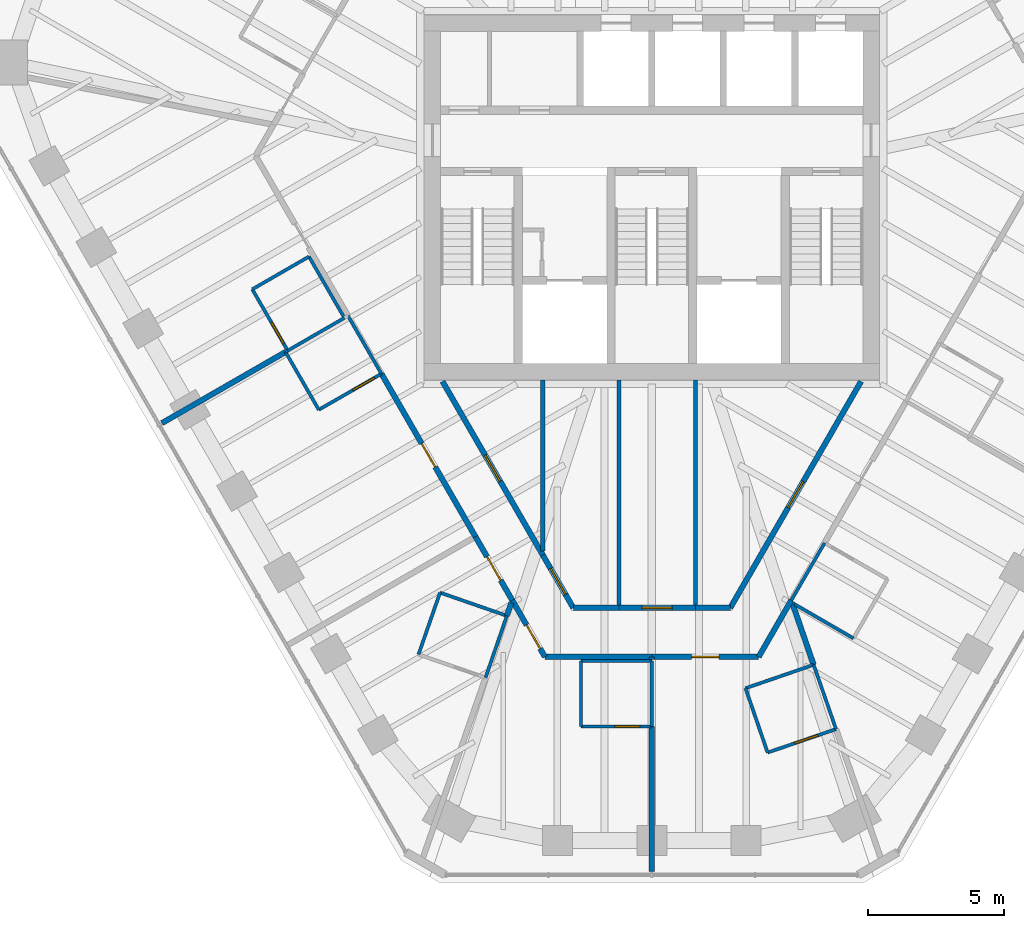
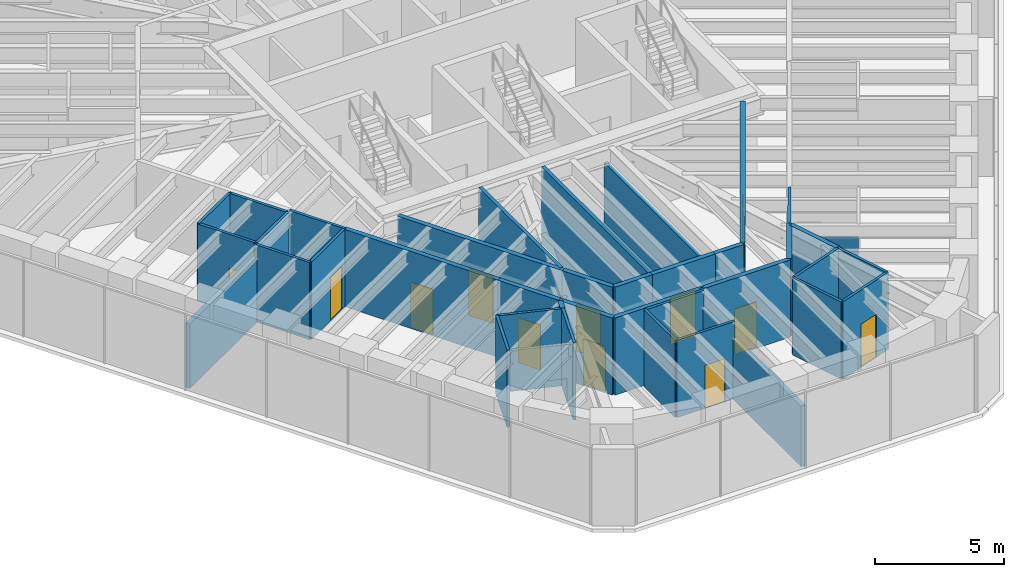
# One storey, part 9 of 14: 41 walls, 12 doors, 12 openings.
"""IFC4 building model written with IfcOpenShell, lengths in metres."""

from ifc_helpers import new_model, si_unit, direction, frame, frame_2d, origin, place, context, subcontext, project, spatial, rectangle, extrude, material, layer, layer_set, type_object, element, fill, save


model = new_model("IFC4")

# Units and contexts
model_context = context("Model", 3, precision=1e-05, world=origin(), true_north=direction((0.0, 1.0)))
body_context = subcontext(model_context, "Body", "Model", "MODEL_VIEW")
ifc_project = project(units=[si_unit("LENGTHUNIT", "METRE"), si_unit("AREAUNIT", "SQUARE_METRE"), si_unit("VOLUMEUNIT", "CUBIC_METRE"), si_unit("PLANEANGLEUNIT", "RADIAN"), si_unit("MASSUNIT", "GRAM", prefix="KILO")], contexts=[model_context])

# Site, building, storey
site_placement = place(None, origin())
site = spatial("IfcSite", under=ifc_project, at=site_placement, CompositionType="ELEMENT")
building_placement = place(site_placement, origin())
building = spatial("IfcBuilding", under=site, at=building_placement, Name="Sandreach Pilgrim Tower", CompositionType="ELEMENT")
storey_placement = place(building_placement, frame((0.0, 0.0, 272.199951171875)))
storey = spatial("IfcBuildingStorey", under=building, at=storey_placement, Name="L68", CompositionType="ELEMENT", Elevation=272.199951171875)

# Walls
ifc_material_1 = material(Name="Gypsum board on steel studs", Category="steel")
ifc_layer_1 = layer(ifc_material_1, 0.14990234375)
ifc_layer_set_1 = layer_set([ifc_layer_1], Name="Back of house wall 150")
wall_type_1 = type_object("IfcWallType", Name="Back of house wall 150", PredefinedType="PARTITIONING", material=ifc_layer_set_1)
wall_1_placement = place(storey_placement, frame((-4.0, -6.699951171875, 0.0), z_axis=(0.0, 0.0, 1.0), x_axis=(0.0, -1.0, 0.0)))
element("IfcWall", 1, at=wall_1_placement, inside=storey, type_object=wall_type_1, Name="Back of house wall L68-047", PredefinedType="PARTITIONING", context=body_context, shape_type="SweptSolid", body=[
    extrude(rectangle(XDim=6.26513671875, YDim=0.14990234375, at=frame_2d((3.132568359375, 0.0))), origin(), (0.0, 0.0, 1.0), 3.64013671875),
])
wall_2_placement = place(storey_placement, frame((-1.199951171875, -6.699951171875, 0.0), z_axis=(0.0, 0.0, 1.0), x_axis=(0.0, -1.0, 0.0)))
element("IfcWall", 2, at=wall_2_placement, inside=storey, type_object=wall_type_1, Name="Back of house wall L68-053", PredefinedType="PARTITIONING", context=body_context, shape_type="SweptSolid", body=[
    extrude(rectangle(XDim=8.360107421875, YDim=0.14990234375, at=frame_2d((4.18017578125, 0.0))), origin(), (0.0, 0.0, 1.0), 3.64013671875),
])
wall_3_placement = place(storey_placement, frame((1.60009765625, -6.699951171875, 0.0), z_axis=(0.0, 0.0, 1.0), x_axis=(0.0, -1.0, 0.0)))
element("IfcWall", 3, at=wall_3_placement, inside=storey, type_object=wall_type_1, Name="Back of house wall L68-061", PredefinedType="PARTITIONING", context=body_context, shape_type="SweptSolid", body=[
    extrude(rectangle(XDim=8.360107421875, YDim=0.14990234375, at=frame_2d((4.18017578125, 0.0))), origin(), (0.0, 0.0, 1.0), 2.8603515625),
])

# Wall, opening, door
ifc_material_2 = material(Name="Moisture-resistant gypsum board on steel studs", Category="steel")
ifc_layer_2 = layer(ifc_material_2, 0.1201171875)
ifc_layer_set_2 = layer_set([ifc_layer_2], Name="Bathroom partition 120")
wall_type_2 = type_object("IfcWallType", Name="Bathroom partition 120", PredefinedType="PARTITIONING", material=ifc_layer_set_2)
wall_4_placement = place(storey_placement, frame((-14.659912109375, -3.3701171875, 0.0), z_axis=(0.0, 0.0, 1.0), x_axis=(0.500291685314, -0.865856933682, 0.0)))
wall_4 = element("IfcWall", 4, at=wall_4_placement, inside=storey, type_object=wall_type_2, Name="Bathroom partition L68-005", PredefinedType="PARTITIONING", context=body_context, shape_type="SweptSolid", body=[
    extrude(rectangle(XDim=2.5986328125, YDim=0.1201171875, at=frame_2d((1.29931640625, 0.0))), origin(), (0.0, 0.0, 1.0), 3.64013671875),
])
opening_1_placement = place(wall_4_placement, frame((1.398681640625, 0.0, 0.0)))
opening_1 = element("IfcOpeningElement", 5, at=opening_1_placement, cuts=wall_4, Name="Opening D09-14B", PredefinedType="OPENING", context=body_context, shape_type="SweptSolid", body=[
    extrude(rectangle(XDim=0.89990234375, YDim=2.030029296875, at=frame_2d((0.449951171875, 1.01513671875))), frame((0.0, 0.06005859375, 0.0), z_axis=(0.0, -1.0, 0.0), x_axis=(1.0, 0.0, 0.0)), (0.0, 0.0, 1.0), 0.1201171875),
])
ifc_material_3 = material(Name="Timber door, steel frame", Category="steel")
door_type_1 = type_object("IfcDoorType", Name="Bathroom door", OperationType="SINGLE_SWING_LEFT", PredefinedType="DOOR", material=ifc_material_3)
door_1_placement = place(opening_1_placement, origin())
door_1 = element("IfcDoor", 6, at=door_1_placement, inside=storey, type_object=door_type_1, Name="Door 6814B", OperationType="SINGLE_SWING_RIGHT", OverallHeight=2.030029296875, OverallWidth=0.89990234375, PredefinedType="DOOR", context=body_context, shape_type="SweptSolid", body=[
    extrude(rectangle(XDim=0.89990234375, YDim=2.030029296875, at=frame_2d((0.449951171875, 1.01513671875))), frame((0.0, 0.02490234375, 0.0), z_axis=(0.0, -1.0, 0.0), x_axis=(1.0, 0.0, 0.0)), (0.0, 0.0, 1.0), 0.050048828125),
])
fill(opening_1, door_1)

# Walls
wall_5_placement = place(storey_placement, frame((-13.43994140625, -5.669921875, 0.0), z_axis=(0.0, 0.0, 1.0), x_axis=(0.865840118177, 0.500320786851, 0.0)))
element("IfcWall", 7, at=wall_5_placement, inside=storey, type_object=wall_type_2, Name="Bathroom partition L68-012", PredefinedType="PARTITIONING", context=body_context, shape_type="SweptSolid", body=[
    extrude(rectangle(XDim=0.09423828125, YDim=0.1201171875, at=frame_2d((0.047119140625, 0.0))), origin(), (0.0, 0.0, 1.0), 3.64013671875),
])
wall_6_placement = place(storey_placement, frame((-13.43994140625, -5.669921875, 0.0), z_axis=(0.0, 0.0, 1.0), x_axis=(0.498748634132, -0.866746675766, 0.0)))
element("IfcWall", 8, at=wall_6_placement, inside=storey, type_object=wall_type_2, Name="Bathroom partition L68-013", PredefinedType="PARTITIONING", context=body_context, shape_type="SweptSolid", body=[
    extrude(rectangle(XDim=2.446044921875, YDim=0.1201171875, at=frame_2d((1.22314453125, 0.0))), origin(), (0.0, 0.0, 1.0), 3.64013671875),
])
for number, where, z_axis, x_axis, name in (
    (9, (-13.35986328125, -5.619873046875, 0.0), (0.0, 0.0, 1.0), (0.866177122335, 0.499737123639, 0.0), "Bathroom partition L68-015"),
    (10, (-12.580078125, -2.169921875, 0.0), (0.0, 0.0, 1.0), (-0.866177122335, -0.499737123639, 0.0), "Bathroom partition L68-018"),
):
    element("IfcWall", number, at=place(storey_placement, frame(where, z_axis=z_axis, x_axis=x_axis)), inside=storey, type_object=wall_type_2, Name=name, PredefinedType="PARTITIONING", context=body_context, shape_type="SweptSolid", body=[
        extrude(rectangle(XDim=2.401123046875, YDim=0.1201171875, at=frame_2d((1.20068359375, 0.0))), origin(), (0.0, 0.0, 1.0), 3.64013671875),
    ])

# Wall, opening, door
wall_7_placement = place(storey_placement, frame((-12.219970703125, -7.7900390625, 0.0), z_axis=(0.0, 0.0, 1.0), x_axis=(0.867306827682, 0.497773911185, 0.0)))
wall_7 = element("IfcWall", 11, at=wall_7_placement, inside=storey, type_object=wall_type_2, Name="Bathroom partition L68-021", PredefinedType="PARTITIONING", context=body_context, shape_type="SweptSolid", body=[
    extrude(rectangle(XDim=2.65185546875, YDim=0.1201171875, at=frame_2d((1.325927734375, 0.0))), origin(), (0.0, 0.0, 1.0), 3.64013671875),
])
opening_2_placement = place(wall_7_placement, frame((1.451904296875, 0.0, 0.0)))
opening_2 = element("IfcOpeningElement", 12, at=opening_2_placement, cuts=wall_7, Name="Opening D09-13B", PredefinedType="OPENING", context=body_context, shape_type="SweptSolid", body=[
    extrude(rectangle(XDim=0.89990234375, YDim=2.030029296875, at=frame_2d((0.449951171875, 1.01513671875))), frame((0.0, 0.06005859375, 0.0), z_axis=(0.0, -1.0, 0.0), x_axis=(1.0, 0.0, 0.0)), (0.0, 0.0, 1.0), 0.1201171875),
])
door_2_placement = place(opening_2_placement, origin())
door_2 = element("IfcDoor", 13, at=door_2_placement, inside=storey, type_object=door_type_1, Name="Door 6813B", OperationType="SINGLE_SWING_RIGHT", OverallHeight=2.030029296875, OverallWidth=0.89990234375, PredefinedType="DOOR", context=body_context, shape_type="SweptSolid", body=[
    extrude(rectangle(XDim=0.89990234375, YDim=2.030029296875, at=frame_2d((0.449951171875, 1.01513671875))), frame((0.0, 0.02490234375, 0.0), z_axis=(0.0, -1.0, 0.0), x_axis=(1.0, 0.0, 0.0)), (0.0, 0.0, 1.0), 0.050048828125),
])
fill(opening_2, door_2)

# Walls
wall_8_placement = place(storey_placement, frame((-11.280029296875, -4.419921875, 0.0), z_axis=(0.0, 0.0, 1.0), x_axis=(-0.500291685314, 0.865856933682, 0.0)))
element("IfcWall", 14, at=wall_8_placement, inside=storey, type_object=wall_type_2, Name="Bathroom partition L68-023", PredefinedType="PARTITIONING", context=body_context, shape_type="SweptSolid", body=[
    extrude(rectangle(XDim=2.5986328125, YDim=0.1201171875, at=frame_2d((1.29931640625, 0.0))), origin(), (0.0, 0.0, 1.0), 3.64013671875),
])
wall_9_placement = place(storey_placement, frame((-11.14990234375, -4.340087890625, 0.0), z_axis=(0.0, 0.0, 1.0), x_axis=(0.500089055364, -0.86597398154, 0.0)))
element("IfcWall", 15, at=wall_9_placement, inside=storey, type_object=wall_type_2, Name="Bathroom partition L68-026", PredefinedType="PARTITIONING", context=body_context, shape_type="SweptSolid", body=[
    extrude(rectangle(XDim=2.45947265625, YDim=0.1201171875, at=frame_2d((1.229736328125, 0.0))), origin(), (0.0, 0.0, 1.0), 3.64013671875),
])
wall_10_placement = place(storey_placement, frame((-7.77001953125, -14.5, 0.0), z_axis=(0.0, 0.0, 1.0), x_axis=(-0.328693963496, -0.944436487203, 0.0)))
element("IfcWall", 16, at=wall_10_placement, inside=storey, type_object=wall_type_2, Name="Bathroom partition L68-034", PredefinedType="PARTITIONING", context=body_context, shape_type="SweptSolid", body=[
    extrude(rectangle(XDim=2.403564453125, YDim=0.1201171875, at=frame_2d((1.20166015625, 0.0))), origin(), (0.0, 0.0, 1.0), 3.64013671875),
])
wall_11_placement = place(storey_placement, frame((-6.10009765625, -17.6201171875, 0.0), z_axis=(0.0, 0.0, 1.0), x_axis=(0.325457785204, 0.945556571576, 0.0)))
element("IfcWall", 17, at=wall_11_placement, inside=storey, type_object=wall_type_2, Name="Bathroom partition L68-036", PredefinedType="PARTITIONING", context=body_context, shape_type="SweptSolid", body=[
    extrude(rectangle(XDim=2.400390625, YDim=0.1201171875, at=frame_2d((1.2001953125, 0.0))), origin(), (0.0, 0.0, 1.0), 3.64013671875),
])
wall_12_placement = place(storey_placement, frame((-5.320068359375, -15.35009765625, 0.0), z_axis=(0.0, 0.0, 1.0), x_axis=(-0.944742926852, 0.327812144624, 0.0)))
element("IfcWall", 18, at=wall_12_placement, inside=storey, type_object=wall_type_2, Name="Bathroom partition L68-043", PredefinedType="PARTITIONING", context=body_context, shape_type="SweptSolid", body=[
    extrude(rectangle(XDim=2.59326171875, YDim=0.1201171875, at=frame_2d((1.296630859375, 0.0))), origin(), (0.0, 0.0, 1.0), 3.64013671875),
])

# Wall, opening, door
wall_13_placement = place(storey_placement, frame((-2.60009765625, -19.409912109375, 0.0), z_axis=(0.0, 0.0, 1.0), x_axis=(1.0, 0.0, 0.0)))
wall_13 = element("IfcWall", 19, at=wall_13_placement, inside=storey, type_object=wall_type_2, Name="Bathroom partition L68-050", PredefinedType="PARTITIONING", context=body_context, shape_type="SweptSolid", body=[
    extrude(rectangle(XDim=2.60009765625, YDim=0.1201171875, at=frame_2d((1.300048828125, 0.0))), origin(), (0.0, 0.0, 1.0), 3.64013671875),
])
opening_3_placement = place(wall_13_placement, frame((1.25, 0.0, 0.0)))
opening_3 = element("IfcOpeningElement", 20, at=opening_3_placement, cuts=wall_13, Name="Opening D09-11B", PredefinedType="OPENING", context=body_context, shape_type="SweptSolid", body=[
    extrude(rectangle(XDim=0.89990234375, YDim=2.030029296875, at=frame_2d((0.449951171875, 1.01513671875))), frame((0.0, 0.06005859375, 0.0), z_axis=(0.0, -1.0, 0.0), x_axis=(1.0, 0.0, 0.0)), (0.0, 0.0, 1.0), 0.1201171875),
])
door_3_placement = place(opening_3_placement, origin())
door_3 = element("IfcDoor", 21, at=door_3_placement, inside=storey, type_object=door_type_1, Name="Door 6811B", OperationType="SINGLE_SWING_RIGHT", OverallHeight=2.030029296875, OverallWidth=0.89990234375, PredefinedType="DOOR", context=body_context, shape_type="SweptSolid", body=[
    extrude(rectangle(XDim=0.89990234375, YDim=2.030029296875, at=frame_2d((0.449951171875, 1.01513671875))), frame((0.0, 0.02490234375, 0.0), z_axis=(0.0, -1.0, 0.0), x_axis=(1.0, 0.0, 0.0)), (0.0, 0.0, 1.0), 0.050048828125),
])
fill(opening_3, door_3)

# Walls
wall_14_placement = place(storey_placement, frame((-2.60009765625, -17.010009765625, 0.0), z_axis=(0.0, 0.0, 1.0), x_axis=(0.0, -1.0, 0.0)))
element("IfcWall", 22, at=wall_14_placement, inside=storey, type_object=wall_type_2, Name="Bathroom partition L68-051", PredefinedType="PARTITIONING", context=body_context, shape_type="SweptSolid", body=[
    extrude(rectangle(XDim=2.39990234375, YDim=0.1201171875, at=frame_2d((1.199951171875, 0.0))), origin(), (0.0, 0.0, 1.0), 3.64013671875),
])
wall_15_placement = place(storey_placement, frame((0.0, -19.409912109375, 0.0), z_axis=(0.0, 0.0, 1.0), x_axis=(0.0, 1.0, 0.0)))
element("IfcWall", 23, at=wall_15_placement, inside=storey, type_object=wall_type_2, Name="Bathroom partition L68-056", PredefinedType="PARTITIONING", context=body_context, shape_type="SweptSolid", body=[
    extrude(rectangle(XDim=2.39990234375, YDim=0.1201171875, at=frame_2d((1.199951171875, 0.0))), origin(), (0.0, 0.0, 1.0), 2.8603515625),
])
wall_16_placement = place(storey_placement, frame((0.0, -17.010009765625, 0.0), z_axis=(0.0, 0.0, 1.0), x_axis=(-1.0, 0.0, 0.0)))
element("IfcWall", 24, at=wall_16_placement, inside=storey, type_object=wall_type_2, Name="Bathroom partition L68-057", PredefinedType="PARTITIONING", context=body_context, shape_type="SweptSolid", body=[
    extrude(rectangle(XDim=2.60009765625, YDim=0.1201171875, at=frame_2d((1.300048828125, 0.0))), origin(), (0.0, 0.0, 1.0), 3.64013671875),
])
wall_17_placement = place(storey_placement, frame((3.43994140625, -18.010009765625, 0.0), z_axis=(0.0, 0.0, 1.0), x_axis=(0.324669532971, -0.945827518293, 0.0)))
element("IfcWall", 25, at=wall_17_placement, inside=storey, type_object=wall_type_2, Name="Bathroom partition L68-067", PredefinedType="PARTITIONING", context=body_context, shape_type="SweptSolid", body=[
    extrude(rectangle(XDim=2.4951171875, YDim=0.1201171875, at=frame_2d((1.24755859375, 0.0))), origin(), (0.0, 0.0, 1.0), 3.64013671875),
])

# Wall, opening, door
wall_18_placement = place(storey_placement, frame((4.25, -20.3701171875, 0.0), z_axis=(0.0, 0.0, 1.0), x_axis=(0.945999971947, 0.324166705687, 0.0)))
wall_18 = element("IfcWall", 26, at=wall_18_placement, inside=storey, type_object=wall_type_2, Name="Bathroom partition L68-069", PredefinedType="PARTITIONING", context=body_context, shape_type="SweptSolid", body=[
    extrude(rectangle(XDim=2.6533203125, YDim=0.1201171875, at=frame_2d((1.32666015625, 0.0))), origin(), (0.0, 0.0, 1.0), 3.64013671875),
])
opening_4_placement = place(wall_18_placement, frame((1.050048828125, 0.0, 0.0)))
opening_4 = element("IfcOpeningElement", 27, at=opening_4_placement, cuts=wall_18, Name="Opening D09-10B", PredefinedType="OPENING", context=body_context, shape_type="SweptSolid", body=[
    extrude(rectangle(XDim=0.89990234375, YDim=2.030029296875, at=frame_2d((0.449951171875, 1.01513671875))), frame((0.0, 0.06005859375, 0.0), z_axis=(0.0, -1.0, 0.0), x_axis=(1.0, 0.0, 0.0)), (0.0, 0.0, 1.0), 0.1201171875),
])
door_4_placement = place(opening_4_placement, origin())
door_4 = element("IfcDoor", 28, at=door_4_placement, inside=storey, type_object=door_type_1, Name="Door 6810B", OperationType="SINGLE_SWING_RIGHT", OverallHeight=2.030029296875, OverallWidth=0.89990234375, PredefinedType="DOOR", context=body_context, shape_type="SweptSolid", body=[
    extrude(rectangle(XDim=0.89990234375, YDim=2.030029296875, at=frame_2d((0.449951171875, 1.01513671875))), frame((0.0, 0.02490234375, 0.0), z_axis=(0.0, -1.0, 0.0), x_axis=(1.0, 0.0, 0.0)), (0.0, 0.0, 1.0), 0.050048828125),
])
fill(opening_4, door_4)

# Walls
wall_19_placement = place(storey_placement, frame((5.1201171875, -14.780029296875, 0.0), z_axis=(0.0, 0.0, 1.0), x_axis=(0.502307685327, 0.86468895521, 0.0)))
element("IfcWall", 29, at=wall_19_placement, inside=storey, type_object=wall_type_2, Name="Bathroom partition L68-072", PredefinedType="PARTITIONING", context=body_context, shape_type="SweptSolid", body=[
    extrude(rectangle(XDim=2.4287109375, YDim=0.1201171875, at=frame_2d((1.21435546875, 0.0))), origin(), (0.0, 0.0, 1.0), 3.64013671875),
])
wall_20_placement = place(storey_placement, frame((5.23779296875, -14.92529296875, 0.0), z_axis=(0.0, 0.0, 1.0), x_axis=(0.864924354574, -0.501902242339, 0.0)))
element("IfcWall", 30, at=wall_20_placement, inside=storey, type_object=wall_type_2, Name="Bathroom partition L68-074", PredefinedType="PARTITIONING", context=body_context, shape_type="SweptSolid", body=[
    extrude(rectangle(XDim=2.499755859375, YDim=0.1201171875, at=frame_2d((1.25, 0.0))), origin(), (0.0, 0.0, 1.0), 3.0380859375),
])
wall_21_placement = place(storey_placement, frame((5.93994140625, -17.14990234375, 0.0), z_axis=(0.0, 0.0, 1.0), x_axis=(-0.945601400786, -0.32532751318, 0.0)))
element("IfcWall", 31, at=wall_21_placement, inside=storey, type_object=wall_type_2, Name="Bathroom partition L68-075", PredefinedType="PARTITIONING", context=body_context, shape_type="SweptSolid", body=[
    extrude(rectangle(XDim=2.643798828125, YDim=0.1201171875, at=frame_2d((1.32177734375, 0.0))), origin(), (0.0, 0.0, 1.0), 3.64013671875),
])
wall_22_placement = place(storey_placement, frame((5.93994140625, -17.14990234375, 0.0), z_axis=(0.0, 0.0, 1.0), x_axis=(0.32822120494, -0.944600889597, 0.0)))
element("IfcWall", 32, at=wall_22_placement, inside=storey, type_object=wall_type_2, Name="Bathroom partition L68-076", PredefinedType="PARTITIONING", context=body_context, shape_type="SweptSolid", body=[
    extrude(rectangle(XDim=2.49853515625, YDim=0.1201171875, at=frame_2d((1.249267578125, 0.0))), origin(), (0.0, 0.0, 1.0), 3.64013671875),
])

# Wall, opening, door
ifc_material_4 = material(Name="Gypsum board on steel studs, two layers each side", Category="steel")
ifc_layer_3 = layer(ifc_material_4, 0.199951171875)
ifc_layer_set_3 = layer_set([ifc_layer_3], Name="Corridor wall 200")
wall_type_3 = type_object("IfcWallType", Name="Corridor wall 200", PredefinedType="PARTITIONING", material=ifc_layer_set_3)
wall_23_placement = place(storey_placement, frame((-9.919921875, -6.469970703125, 0.0), z_axis=(0.0, 0.0, 1.0), x_axis=(0.499718371597, -0.866187940974, 0.0)))
wall_23 = element("IfcWall", 33, at=wall_23_placement, inside=storey, type_object=wall_type_3, Name="Corridor wall L68-027", PredefinedType="PARTITIONING", context=body_context, shape_type="SweptSolid", body=[
    extrude(rectangle(XDim=6.90380859375, YDim=0.199951171875, at=frame_2d((3.451904296875, 0.0))), origin(), (0.0, 0.0, 1.0), 3.64013671875),
])
opening_5_placement = place(wall_23_placement, frame((2.951904296875, 0.0, 0.0)))
opening_5 = element("IfcOpeningElement", 34, at=opening_5_placement, cuts=wall_23, Name="Opening D10-13", PredefinedType="OPENING", context=body_context, shape_type="SweptSolid", body=[
    extrude(rectangle(XDim=1.0, YDim=2.1298828125, at=frame_2d((0.5, 1.06494140625))), frame((0.0, 0.10009765625, 0.0), z_axis=(0.0, -1.0, 0.0), x_axis=(1.0, 0.0, 0.0)), (0.0, 0.0, 1.0), 0.199951171875),
])
ifc_material_5 = material(Name="Steel door and frame", Category="steel")
door_type_2 = type_object("IfcDoorType", Name="Guest room entry door", OperationType="SINGLE_SWING_LEFT", PredefinedType="DOOR", material=ifc_material_5)
door_5_placement = place(opening_5_placement, origin())
door_5 = element("IfcDoor", 35, at=door_5_placement, inside=storey, type_object=door_type_2, Name="Door 6813", OperationType="SINGLE_SWING_LEFT", OverallHeight=2.1298828125, OverallWidth=1.0, PredefinedType="DOOR", context=body_context, shape_type="SweptSolid", body=[
    extrude(rectangle(XDim=1.0, YDim=2.1298828125, at=frame_2d((0.5, 1.06494140625))), frame((0.0, 0.02490234375, 0.0), z_axis=(0.0, -1.0, 0.0), x_axis=(1.0, 0.0, 0.0)), (0.0, 0.0, 1.0), 0.050048828125),
])
fill(opening_5, door_5)

wall_24_placement = place(storey_placement, frame((-6.469970703125, -12.449951171875, 0.0), z_axis=(0.0, 0.0, 1.0), x_axis=(0.501275699481, -0.865287624498, 0.0)))
wall_24 = element("IfcWall", 36, at=wall_24_placement, inside=storey, type_object=wall_type_3, Name="Corridor wall L68-035", PredefinedType="PARTITIONING", context=body_context, shape_type="SweptSolid", body=[
    extrude(rectangle(XDim=2.69287109375, YDim=0.199951171875, at=frame_2d((1.346435546875, 0.0))), origin(), (0.0, 0.0, 1.0), 3.64013671875),
])
opening_6_placement = place(wall_24_placement, frame((0.846435546875, 0.0, 0.0)))
opening_6 = element("IfcOpeningElement", 37, at=opening_6_placement, cuts=wall_24, Name="Opening D10-12", PredefinedType="OPENING", context=body_context, shape_type="SweptSolid", body=[
    extrude(rectangle(XDim=1.0, YDim=2.1298828125, at=frame_2d((0.5, 1.06494140625))), frame((0.0, 0.10009765625, 0.0), z_axis=(0.0, -1.0, 0.0), x_axis=(1.0, 0.0, 0.0)), (0.0, 0.0, 1.0), 0.199951171875),
])
door_6_placement = place(opening_6_placement, origin())
door_6 = element("IfcDoor", 38, at=door_6_placement, inside=storey, type_object=door_type_2, Name="Door 6812", OperationType="SINGLE_SWING_LEFT", OverallHeight=2.1298828125, OverallWidth=1.0, PredefinedType="DOOR", context=body_context, shape_type="SweptSolid", body=[
    extrude(rectangle(XDim=1.0, YDim=2.1298828125, at=frame_2d((0.5, 1.06494140625))), frame((0.0, 0.02490234375, 0.0), z_axis=(0.0, -1.0, 0.0), x_axis=(1.0, 0.0, 0.0)), (0.0, 0.0, 1.0), 0.050048828125),
])
fill(opening_6, door_6)

wall_25_placement = place(storey_placement, frame((-5.1201171875, -14.780029296875, 0.0), z_axis=(0.0, 0.0, 1.0), x_axis=(0.499813401482, -0.866133109688, 0.0)))
wall_25 = element("IfcWall", 39, at=wall_25_placement, inside=storey, type_object=wall_type_3, Name="Corridor wall L68-045", PredefinedType="PARTITIONING", context=body_context, shape_type="SweptSolid", body=[
    extrude(rectangle(XDim=2.4013671875, YDim=0.199951171875, at=frame_2d((1.20068359375, 0.0))), origin(), (0.0, 0.0, 1.0), 3.64013671875),
])
opening_7_placement = place(wall_25_placement, frame((1.050048828125, 0.0, 0.0)))
opening_7 = element("IfcOpeningElement", 40, at=opening_7_placement, cuts=wall_25, Name="Opening D10-11", PredefinedType="OPENING", context=body_context, shape_type="SweptSolid", body=[
    extrude(rectangle(XDim=1.0, YDim=2.1298828125, at=frame_2d((0.5, 1.06494140625))), frame((0.0, 0.10009765625, 0.0), z_axis=(0.0, -1.0, 0.0), x_axis=(1.0, 0.0, 0.0)), (0.0, 0.0, 1.0), 0.199951171875),
])
door_7_placement = place(opening_7_placement, origin())
door_7 = element("IfcDoor", 41, at=door_7_placement, inside=storey, type_object=door_type_2, Name="Door 6811", OperationType="SINGLE_SWING_RIGHT", OverallHeight=2.1298828125, OverallWidth=1.0, PredefinedType="DOOR", context=body_context, shape_type="SweptSolid", body=[
    extrude(rectangle(XDim=1.0, YDim=2.1298828125, at=frame_2d((0.5, 1.06494140625))), frame((0.0, 0.02490234375, 0.0), z_axis=(0.0, -1.0, 0.0), x_axis=(1.0, 0.0, 0.0)), (0.0, 0.0, 1.0), 0.050048828125),
])
fill(opening_7, door_7)

wall_26_placement = place(storey_placement, frame((-4.0, -13.1201171875, 0.0), z_axis=(0.0, 0.0, 1.0), x_axis=(-0.500218436225, 0.865899252835, 0.0)))
wall_26 = element("IfcWall", 42, at=wall_26_placement, inside=storey, type_object=wall_type_3, Name="Corridor wall L68-046", PredefinedType="PARTITIONING", context=body_context, shape_type="SweptSolid", body=[
    extrude(rectangle(XDim=7.356689453125, YDim=0.199951171875, at=frame_2d((3.67822265625, 0.0))), origin(), (0.0, 0.0, 1.0), 3.64013671875),
])
opening_8_placement = place(wall_26_placement, frame((3.12841796875, 0.0, 0.0)))
opening_8 = element("IfcOpeningElement", 43, at=opening_8_placement, cuts=wall_26, Name="Opening D11H-S1", PredefinedType="OPENING", context=body_context, shape_type="SweptSolid", body=[
    extrude(rectangle(XDim=1.10009765625, YDim=2.199951171875, at=frame_2d((0.550048828125, 1.10009765625))), frame((0.0, 0.10009765625, 0.0), z_axis=(0.0, -1.0, 0.0), x_axis=(1.0, 0.0, 0.0)), (0.0, 0.0, 1.0), 0.199951171875),
])
ifc_material_6 = material(Name="Steel door and frame", Category="steel")
door_type_3 = type_object("IfcDoorType", Name="Back of house door", OperationType="SINGLE_SWING_LEFT", PredefinedType="DOOR", material=ifc_material_6)
door_8_placement = place(opening_8_placement, origin())
door_8 = element("IfcDoor", 44, at=door_8_placement, inside=storey, type_object=door_type_3, Name="Door 68S1", OperationType="SINGLE_SWING_LEFT", OverallHeight=2.199951171875, OverallWidth=1.10009765625, PredefinedType="DOOR", context=body_context, shape_type="SweptSolid", body=[
    extrude(rectangle(XDim=1.10009765625, YDim=2.199951171875, at=frame_2d((0.550048828125, 1.10009765625))), frame((0.0, 0.02490234375, 0.0), z_axis=(0.0, -1.0, 0.0), x_axis=(1.0, 0.0, 0.0)), (0.0, 0.0, 1.0), 0.050048828125),
])
fill(opening_8, door_8)

# Wall
wall_27_placement = place(storey_placement, frame((-3.919921875, -16.860107421875, 0.0), z_axis=(0.0, 0.0, 1.0), x_axis=(1.0, 0.0, 0.0)))
element("IfcWall", 45, at=wall_27_placement, inside=storey, type_object=wall_type_3, Name="Corridor wall L68-048", PredefinedType="PARTITIONING", context=body_context, shape_type="SweptSolid", body=[
    extrude(rectangle(XDim=3.919921875, YDim=0.199951171875, at=frame_2d((1.9599609375, 0.0))), origin(), (0.0, 0.0, 1.0), 3.64013671875),
])

# Wall, opening, door
wall_28_placement = place(storey_placement, frame((-2.8798828125, -15.06005859375, 0.0), z_axis=(0.0, 0.0, 1.0), x_axis=(-0.499983441833, 0.866034963436, 0.0)))
wall_28 = element("IfcWall", 46, at=wall_28_placement, inside=storey, type_object=wall_type_3, Name="Corridor wall L68-049", PredefinedType="PARTITIONING", context=body_context, shape_type="SweptSolid", body=[
    extrude(rectangle(XDim=2.240234375, YDim=0.199951171875, at=frame_2d((1.1201171875, 0.0))), origin(), (0.0, 0.0, 1.0), 3.64013671875),
])
opening_9_placement = place(wall_28_placement, frame((0.570068359375, 0.0, 0.0)))
opening_9 = element("IfcOpeningElement", 47, at=opening_9_placement, cuts=wall_28, Name="Opening D11H-S2", PredefinedType="OPENING", context=body_context, shape_type="SweptSolid", body=[
    extrude(rectangle(XDim=1.10009765625, YDim=2.199951171875, at=frame_2d((0.550048828125, 1.10009765625))), frame((0.0, 0.10009765625, 0.0), z_axis=(0.0, -1.0, 0.0), x_axis=(1.0, 0.0, 0.0)), (0.0, 0.0, 1.0), 0.199951171875),
])
door_9_placement = place(opening_9_placement, origin())
door_9 = element("IfcDoor", 48, at=door_9_placement, inside=storey, type_object=door_type_3, Name="Door 68S2", OperationType="SINGLE_SWING_LEFT", OverallHeight=2.199951171875, OverallWidth=1.10009765625, PredefinedType="DOOR", context=body_context, shape_type="SweptSolid", body=[
    extrude(rectangle(XDim=1.10009765625, YDim=2.199951171875, at=frame_2d((0.550048828125, 1.10009765625))), frame((0.0, 0.02490234375, 0.0), z_axis=(0.0, -1.0, 0.0), x_axis=(1.0, 0.0, 0.0)), (0.0, 0.0, 1.0), 0.050048828125),
])
fill(opening_9, door_9)

# Wall
wall_29_placement = place(storey_placement, frame((-1.199951171875, -15.06005859375, 0.0), z_axis=(0.0, 0.0, 1.0), x_axis=(-1.0, 0.0, 0.0)))
element("IfcWall", 49, at=wall_29_placement, inside=storey, type_object=wall_type_3, Name="Corridor wall L68-052", PredefinedType="PARTITIONING", context=body_context, shape_type="SweptSolid", body=[
    extrude(rectangle(XDim=1.679931640625, YDim=0.199951171875, at=frame_2d((0.83984375, 0.0))), origin(), (0.0, 0.0, 1.0), 3.64013671875),
])

# Wall, opening, door
wall_30_placement = place(storey_placement, frame((0.0, -16.860107421875, 0.0), z_axis=(0.0, 0.0, 1.0), x_axis=(1.0, 0.0, 0.0)))
wall_30 = element("IfcWall", 50, at=wall_30_placement, inside=storey, type_object=wall_type_3, Name="Corridor wall L68-059", PredefinedType="PARTITIONING", context=body_context, shape_type="SweptSolid", body=[
    extrude(rectangle(XDim=3.919921875, YDim=0.199951171875, at=frame_2d((1.9599609375, 0.0))), origin(), (0.0, 0.0, 1.0), 3.64013671875),
])
opening_10_placement = place(wall_30_placement, frame((1.4599609375, 0.0, 0.0)))
opening_10 = element("IfcOpeningElement", 51, at=opening_10_placement, cuts=wall_30, Name="Opening D10-10", PredefinedType="OPENING", context=body_context, shape_type="SweptSolid", body=[
    extrude(rectangle(XDim=1.0, YDim=2.1298828125, at=frame_2d((0.5, 1.06494140625))), frame((0.0, 0.10009765625, 0.0), z_axis=(0.0, -1.0, 0.0), x_axis=(1.0, 0.0, 0.0)), (0.0, 0.0, 1.0), 0.199951171875),
])
door_10_placement = place(opening_10_placement, origin())
door_10 = element("IfcDoor", 52, at=door_10_placement, inside=storey, type_object=door_type_2, Name="Door 6810", OperationType="SINGLE_SWING_LEFT", OverallHeight=2.1298828125, OverallWidth=1.0, PredefinedType="DOOR", context=body_context, shape_type="SweptSolid", body=[
    extrude(rectangle(XDim=1.0, YDim=2.1298828125, at=frame_2d((0.5, 1.06494140625))), frame((0.0, 0.02490234375, 0.0), z_axis=(0.0, -1.0, 0.0), x_axis=(1.0, 0.0, 0.0)), (0.0, 0.0, 1.0), 0.050048828125),
])
fill(opening_10, door_10)

wall_31_placement = place(storey_placement, frame((1.60009765625, -15.06005859375, 0.0), z_axis=(0.0, 0.0, 1.0), x_axis=(-1.0, 0.0, 0.0)))
wall_31 = element("IfcWall", 53, at=wall_31_placement, inside=storey, type_object=wall_type_3, Name="Corridor wall L68-060", PredefinedType="PARTITIONING", context=body_context, shape_type="SweptSolid", body=[
    extrude(rectangle(XDim=2.800048828125, YDim=0.199951171875, at=frame_2d((1.39990234375, 0.0))), origin(), (0.0, 0.0, 1.0), 3.64013671875),
])
opening_11_placement = place(wall_31_placement, frame((0.85009765625, 0.0, 0.0)))
opening_11 = element("IfcOpeningElement", 54, at=opening_11_placement, cuts=wall_31, Name="Opening D11H-S3", PredefinedType="OPENING", context=body_context, shape_type="SweptSolid", body=[
    extrude(rectangle(XDim=1.10009765625, YDim=2.199951171875, at=frame_2d((0.550048828125, 1.10009765625))), frame((0.0, 0.10009765625, 0.0), z_axis=(0.0, -1.0, 0.0), x_axis=(1.0, 0.0, 0.0)), (0.0, 0.0, 1.0), 0.199951171875),
])
door_11_placement = place(opening_11_placement, origin())
door_11 = element("IfcDoor", 55, at=door_11_placement, inside=storey, type_object=door_type_3, Name="Door 68S3", OperationType="SINGLE_SWING_LEFT", OverallHeight=2.199951171875, OverallWidth=1.10009765625, PredefinedType="DOOR", context=body_context, shape_type="SweptSolid", body=[
    extrude(rectangle(XDim=1.10009765625, YDim=2.199951171875, at=frame_2d((0.550048828125, 1.10009765625))), frame((0.0, 0.02490234375, 0.0), z_axis=(0.0, -1.0, 0.0), x_axis=(1.0, 0.0, 0.0)), (0.0, 0.0, 1.0), 0.050048828125),
])
fill(opening_11, door_11)

# Walls
wall_32_placement = place(storey_placement, frame((2.8798828125, -15.06005859375, 0.0), z_axis=(0.0, 0.0, 1.0), x_axis=(-1.0, 0.0, 0.0)))
element("IfcWall", 56, at=wall_32_placement, inside=storey, type_object=wall_type_3, Name="Corridor wall L68-066", PredefinedType="PARTITIONING", context=body_context, shape_type="SweptSolid", body=[
    extrude(rectangle(XDim=1.27978515625, YDim=0.199951171875, at=frame_2d((0.639892578125, 0.0))), origin(), (0.0, 0.0, 1.0), 3.64013671875),
])
wall_33_placement = place(storey_placement, frame((3.919921875, -16.860107421875, 0.0), z_axis=(0.0, 0.0, 1.0), x_axis=(0.499693115345, 0.866202511239, 0.0)))
element("IfcWall", 57, at=wall_33_placement, inside=storey, type_object=wall_type_3, Name="Corridor wall L68-068", PredefinedType="PARTITIONING", context=body_context, shape_type="SweptSolid", body=[
    extrude(rectangle(XDim=2.4013671875, YDim=0.199951171875, at=frame_2d((1.20068359375, 0.0))), origin(), (0.0, 0.0, 1.0), 3.64013671875),
])

# Wall, opening, door
wall_34_placement = place(storey_placement, frame((7.679931640625, -6.75, 0.0), z_axis=(0.0, 0.0, 1.0), x_axis=(-0.500174600737, -0.865924574532, 0.0)))
wall_34 = element("IfcWall", 58, at=wall_34_placement, inside=storey, type_object=wall_type_3, Name="Corridor wall L68-088", PredefinedType="PARTITIONING", context=body_context, shape_type="SweptSolid", body=[
    extrude(rectangle(XDim=9.5966796875, YDim=0.199951171875, at=frame_2d((4.79833984375, 0.0))), origin(), (0.0, 0.0, 1.0), 3.64013671875),
])
opening_12_placement = place(wall_34_placement, frame((4.248291015625, 0.0, 0.0)))
opening_12 = element("IfcOpeningElement", 59, at=opening_12_placement, cuts=wall_34, Name="Opening D11H-S4", PredefinedType="OPENING", context=body_context, shape_type="SweptSolid", body=[
    extrude(rectangle(XDim=1.10009765625, YDim=2.199951171875, at=frame_2d((0.550048828125, 1.10009765625))), frame((0.0, 0.10009765625, 0.0), z_axis=(0.0, -1.0, 0.0), x_axis=(1.0, 0.0, 0.0)), (0.0, 0.0, 1.0), 0.199951171875),
])
door_12_placement = place(opening_12_placement, origin())
door_12 = element("IfcDoor", 60, at=door_12_placement, inside=storey, type_object=door_type_3, Name="Door 68S4", OperationType="SINGLE_SWING_LEFT", OverallHeight=2.199951171875, OverallWidth=1.10009765625, PredefinedType="DOOR", context=body_context, shape_type="SweptSolid", body=[
    extrude(rectangle(XDim=1.10009765625, YDim=2.199951171875, at=frame_2d((0.550048828125, 1.10009765625))), frame((0.0, 0.02490234375, 0.0), z_axis=(0.0, -1.0, 0.0), x_axis=(1.0, 0.0, 0.0)), (0.0, 0.0, 1.0), 0.050048828125),
])
fill(opening_12, door_12)

# Walls
ifc_material_7 = material(Name="Double steel stud acoustic wall, gypsum board", Category="steel")
ifc_layer_4 = layer(ifc_material_7, 0.199951171875)
ifc_layer_set_4 = layer_set([ifc_layer_4], Name="Party wall 200")
wall_type_4 = type_object("IfcWallType", Name="Party wall 200", PredefinedType="PARTITIONING", material=ifc_layer_set_4)
wall_35_placement = place(storey_placement, frame((-17.97607421875, -8.280029296875, 0.0), z_axis=(0.0, 0.0, 1.0), x_axis=(0.866755072818, 0.498734041092, 0.0)))
element("IfcWall", 61, at=wall_35_placement, inside=storey, type_object=wall_type_4, Name="Party wall L68-003", PredefinedType="PARTITIONING", context=body_context, shape_type="SweptSolid", body=[
    extrude(rectangle(XDim=5.2333984375, YDim=0.199951171875, at=frame_2d((2.61669921875, 0.0))), origin(), (0.0, 0.0, 1.0), 3.0380859375),
])
wall_36_placement = place(storey_placement, frame((-5.31884765625, -15.350341796875, 0.0), z_axis=(0.0, 0.0, 1.0), x_axis=(0.329422375526, 0.944182661619, 0.0)))
element("IfcWall", 62, at=wall_36_placement, inside=storey, type_object=wall_type_4, Name="Party wall L68-044", PredefinedType="PARTITIONING", context=body_context, shape_type="SweptSolid", body=[
    extrude(rectangle(XDim=0.50390625, YDim=0.199951171875, at=frame_2d((0.251953125, 0.0))), origin(), (0.0, 0.0, 1.0), 3.64013671875),
])
wall_37_placement = place(storey_placement, frame((0.0, -24.739990234375, 0.0), z_axis=(0.0, 0.0, 1.0), x_axis=(0.0, 1.0, 0.0)))
element("IfcWall", 63, at=wall_37_placement, inside=storey, type_object=wall_type_4, Name="Party wall L68-055", PredefinedType="PARTITIONING", context=body_context, shape_type="SweptSolid", body=[
    extrude(rectangle(XDim=5.330078125, YDim=0.199951171875, at=frame_2d((2.6650390625, 0.0))), origin(), (0.0, 0.0, 1.0), 2.8603515625),
])
wall_38_placement = place(storey_placement, frame((0.0, -16.949951171875, 0.0), z_axis=(0.0, 0.0, 1.0), x_axis=(0.0, 1.0, 0.0)))
element("IfcWall", 64, at=wall_38_placement, inside=storey, type_object=wall_type_4, Name="Party wall L68-058", PredefinedType="PARTITIONING", context=body_context, shape_type="SweptSolid", body=[
    extrude(rectangle(XDim=0.08984375, YDim=0.199951171875, at=frame_2d((0.044921875, 0.0))), origin(), (0.0, 0.0, 1.0), 3.64013671875),
])
wall_39_placement = place(storey_placement, frame((5.1552734375, -14.881591796875, 0.0), z_axis=(0.0, 0.0, 1.0), x_axis=(0.326918410097, -0.945052566337, 0.0)))
element("IfcWall", 65, at=wall_39_placement, inside=storey, type_object=wall_type_4, Name="Party wall L68-073", PredefinedType="PARTITIONING", context=body_context, shape_type="SweptSolid", body=[
    extrude(rectangle(XDim=2.400146484375, YDim=0.199951171875, at=frame_2d((1.2001953125, 0.0))), origin(), (0.0, 0.0, 1.0), 3.64013671875),
])

save(model, "model.ifc")
